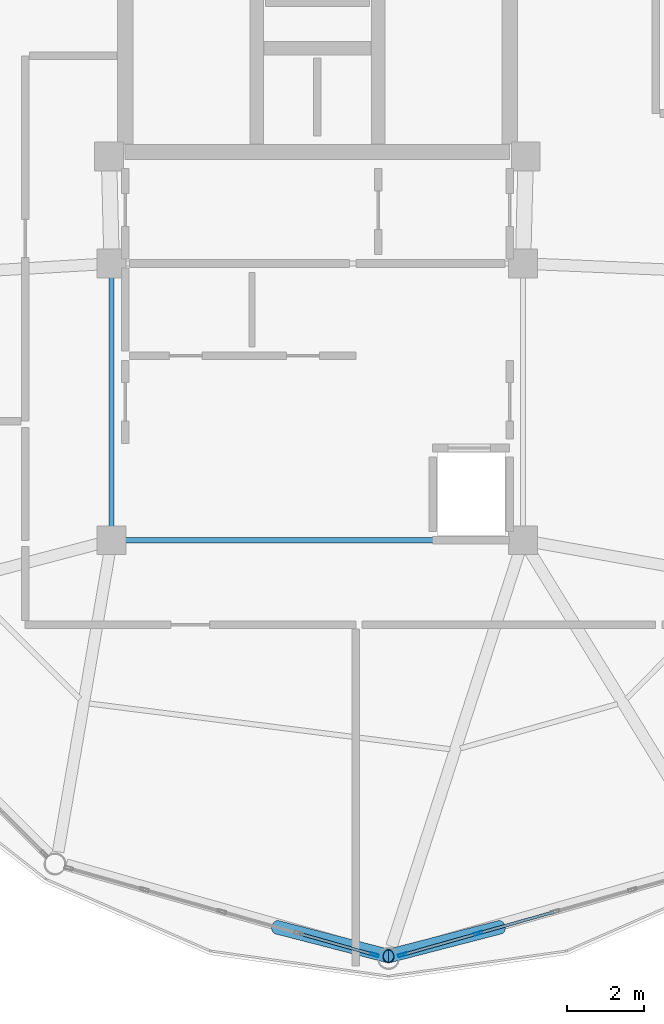
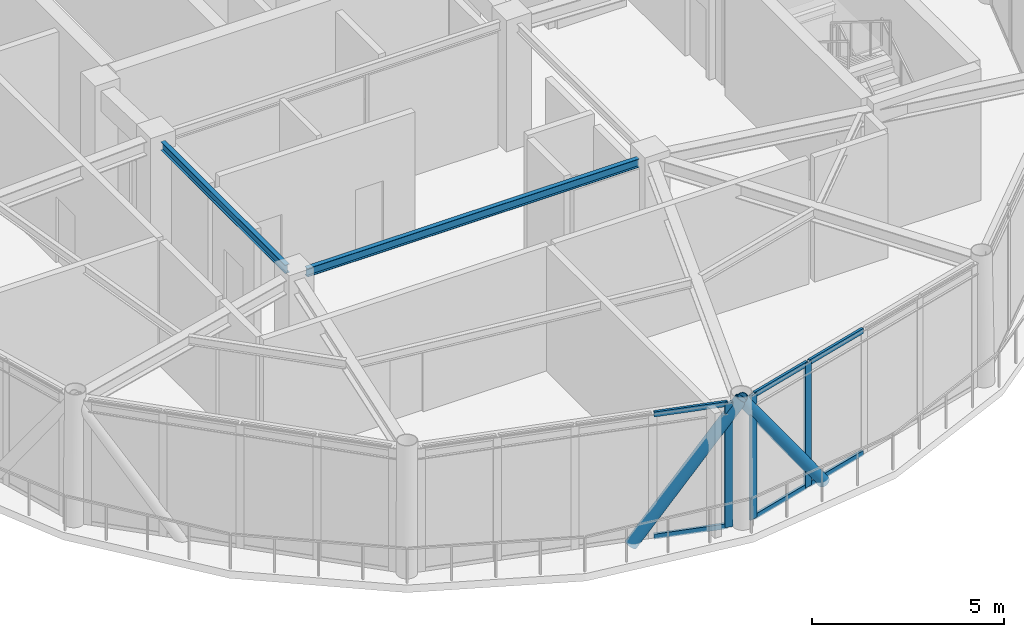
# One storey, part 4 of 20: 11 members, 2 beams, 2 elements without a shape of their own.
"""IFC4 building model written with IfcOpenShell, lengths in metres."""

import ifcopenshell
import ifcopenshell.guid

model = None  # the IFC model being written
_history = None  # IfcOwnerHistory: only IFC2X3 demands one
_inside = {}  # id of a spatial element -> (the spatial element, [elements in it])
_under = {}  # id of a project, library or spatial element -> (it, [spatial elements below it])
_declared = {}  # id of a project -> (the project, [libraries it declares])
_typed = {}  # id of a type object -> (the type object, [elements of that type])
_made_of = {}  # id of a material, layer set ... -> (it, [elements and type objects made of it])


def new_model(schema):
    """Start an empty IFC model of exactly this schema.

    Asked for "IFC4X3", IfcOpenShell would pick the latest addendum, in which some entities
    have other attributes; the version numbers below select the first issue.
    IFC2X3 requires an IfcOwnerHistory on every rooted entity: one is made here for all.
    """
    global model, _history
    if schema == "IFC4X3":
        model = ifcopenshell.file(schema_version=(4, 3, 0, 0))
    else:
        model = ifcopenshell.file(schema=schema)
    _inside.clear()
    _under.clear()
    _declared.clear()
    _typed.clear()
    _made_of.clear()
    _history = None
    if model.schema == "IFC2X3":
        org = make("IfcOrganization", Name="unknown")
        user = make(
            "IfcPersonAndOrganization",
            ThePerson=make("IfcPerson", FamilyName="unknown"),
            TheOrganization=org,
        )
        app = make(
            "IfcApplication",
            ApplicationDeveloper=org,
            Version="unknown",
            ApplicationFullName="unknown",
            ApplicationIdentifier="unknown",
        )
        _history = make(
            "IfcOwnerHistory",
            OwningUser=user,
            OwningApplication=app,
            ChangeAction="ADDED",
            CreationDate=0,
        )
    return model


def make(cls, **values):
    """One entity of the class cls with the attributes given. An attribute that is None is left unset."""
    return model.create_entity(
        cls, **{name: value for name, value in values.items() if value is not None}
    )


def rooted(cls, **values):
    """An entity with a GlobalId (a new one), such as an element, a storey or a relation."""
    return make(cls, GlobalId=ifcopenshell.guid.new(), OwnerHistory=_history, **values)


def si_unit(unit_type, name, prefix=None):
    """IfcSIUnit, for example si_unit("LENGTHUNIT", "METRE", prefix="MILLI")."""
    return make("IfcSIUnit", UnitType=unit_type, Prefix=prefix, Name=name)


def assignment(units):
    """IfcUnitAssignment: the units of a project."""
    return None if units is None else make("IfcUnitAssignment", Units=units)


def point(xyz):
    """IfcCartesianPoint."""
    return None if xyz is None else make("IfcCartesianPoint", Coordinates=xyz)


def direction(xyz):
    """IfcDirection."""
    return None if xyz is None else make("IfcDirection", DirectionRatios=xyz)


def frame(location, z_axis=None, x_axis=None):
    """IfcAxis2Placement3D, a coordinate frame: its origin and axes. An axis left out is left unset."""
    return make(
        "IfcAxis2Placement3D",
        Location=point(location),
        Axis=direction(z_axis),
        RefDirection=direction(x_axis),
    )


def frame_2d(location, x_axis=None):
    """IfcAxis2Placement2D, a coordinate frame in the plane: its origin and x axis."""
    return make(
        "IfcAxis2Placement2D", Location=point(location), RefDirection=direction(x_axis)
    )


def origin():
    """The frame at (0, 0, 0) with its axes left unset."""
    return frame((0.0, 0.0, 0.0))


def origin_2d():
    """The frame at (0, 0) in the plane with its x axis left unset."""
    return frame_2d((0.0, 0.0))


def place(relative_to, where):
    """IfcLocalPlacement: puts the frame where relative to a parent placement (None: the world)."""
    return make(
        "IfcLocalPlacement", PlacementRelTo=relative_to, RelativePlacement=where
    )


def context(
    kind, dimensions, precision=None, world=None, true_north=None, identifier=None
):
    """IfcGeometricRepresentationContext, for example the 3D "Model" context."""
    return make(
        "IfcGeometricRepresentationContext",
        ContextIdentifier=identifier,
        ContextType=kind,
        CoordinateSpaceDimension=dimensions,
        Precision=precision,
        WorldCoordinateSystem=world,
        TrueNorth=true_north,
    )


def subcontext(parent, identifier, kind, view, scale=None):
    """IfcGeometricRepresentationSubContext, for example "Body" below "Model"."""
    return make(
        "IfcGeometricRepresentationSubContext",
        ContextIdentifier=identifier,
        ContextType=kind,
        ParentContext=parent,
        TargetScale=scale,
        TargetView=view,
    )


def project(units=None, contexts=None):
    """IfcProject with its units and contexts."""
    return rooted(
        "IfcProject",
        Name="project",
        RepresentationContexts=contexts,
        UnitsInContext=assignment(units),
    )


def spatial(cls, under=None, at=None, **own):
    """A site, building, storey or space (cls), placed at a placement, below another one or the project."""
    s = rooted(cls, ObjectPlacement=at, **own)
    if under is not None:
        _under.setdefault(under.id(), (under, []))[1].append(s)
    return s


def profile(cls, at=None, kind="AREA", **sizes):
    """A parametric profile (cls). Its sizes go by their IFC names, for example OverallWidth=200.0."""
    return make(cls, ProfileType=kind, Position=at, **sizes)


def hollow_rectangle(**sizes):
    """IfcRectangleHollowProfileDef."""
    return profile("IfcRectangleHollowProfileDef", **sizes)


def hollow_circle(**sizes):
    """IfcCircleHollowProfileDef."""
    return profile("IfcCircleHollowProfileDef", **sizes)


def i_section(**sizes):
    """IfcIShapeProfileDef."""
    return profile("IfcIShapeProfileDef", **sizes)


def extrude(swept, where, along, depth):
    """IfcExtrudedAreaSolid: the profile swept, set in the frame where, extruded along a direction by depth."""
    return make(
        "IfcExtrudedAreaSolid",
        SweptArea=swept,
        Position=where,
        ExtrudedDirection=direction(along),
        Depth=depth,
    )


def shape(context_of_items, identifier, shape_type, items):
    """IfcShapeRepresentation: the items that make up one representation, for example the "Body"."""
    return make(
        "IfcShapeRepresentation",
        ContextOfItems=context_of_items,
        RepresentationIdentifier=identifier,
        RepresentationType=shape_type,
        Items=items,
    )


def material(Name=None, Category=None):
    """IfcMaterial."""
    return make("IfcMaterial", Name=Name, Category=Category)


def layer(
    of_material, thickness, ventilated=None, Name=None, Category=None, Priority=None
):
    """IfcMaterialLayer: one layer of a wall or slab, of a material (None: an air gap)."""
    return make(
        "IfcMaterialLayer",
        Material=of_material,
        LayerThickness=thickness,
        IsVentilated=ventilated,
        Name=Name,
        Category=Category,
        Priority=Priority,
    )


def layer_set(layers, Name=None):
    """IfcMaterialLayerSet."""
    return make("IfcMaterialLayerSet", MaterialLayers=layers, LayerSetName=Name)


def material_profile(
    of_material, cross_section, Name=None, Category=None, Priority=None
):
    """IfcMaterialProfile: a cross section and its material."""
    return make(
        "IfcMaterialProfile",
        Name=Name,
        Material=of_material,
        Profile=cross_section,
        Priority=Priority,
        Category=Category,
    )


def profile_set(profiles, Name=None, composite=None):
    """IfcMaterialProfileSet."""
    return make(
        "IfcMaterialProfileSet",
        Name=Name,
        MaterialProfiles=profiles,
        CompositeProfile=composite,
    )


def made_of(thing, what):
    """Note that an element or type object is made of a material, layer set ...; save() writes the relation."""
    if what is not None:
        _made_of.setdefault(what.id(), (what, []))[1].append(thing)
    return thing


def type_object(cls, material=None, **own):
    """A type object (cls), such as IfcWallType, which elements share."""
    return made_of(rooted(cls, **own), material)


def element(
    cls,
    number,
    at=None,
    inside=None,
    cuts=None,
    type_object=None,
    material=None,
    context=None,
    identifier="Body",
    shape_type=None,
    held_by="IfcProductDefinitionShape",
    body=None,
    shapes=None,
    **own,
):
    """One element of the class cls, such as IfcWall. Its Tag is "e" and its number.

    at: its placement. inside: the storey or other place that contains it. cuts: it is an
    opening in that element (IfcRelVoidsElement). A single representation is given by context,
    identifier, shape_type and body (its items); several are given by shapes. held_by: the class
    of the entity that holds the representations. save() writes the other relations.
    """
    e = rooted(cls, Tag="e%d" % number, ObjectPlacement=at, **own)
    if body is not None:
        shapes = [shape(context, identifier, shape_type, body)]
    if shapes is not None:
        e.Representation = make(held_by, Representations=shapes)
    if inside is not None:
        _inside.setdefault(inside.id(), (inside, []))[1].append(e)
    if cuts is not None:
        rooted(
            "IfcRelVoidsElement", RelatingBuildingElement=cuts, RelatedOpeningElement=e
        )
    if type_object is not None:
        _typed.setdefault(type_object.id(), (type_object, []))[1].append(e)
    return made_of(e, material)


def aggregate(whole, parts):
    """IfcRelAggregates: a whole, such as a stair, and the parts it consists of."""
    return rooted("IfcRelAggregates", RelatingObject=whole, RelatedObjects=parts)


def save(model, path):
    """Write the relations noted so far, then the file.

    IfcRelAggregates (storeys below a building ...), IfcRelContainedInSpatialStructure (elements
    in a storey), IfcRelDefinesByType, IfcRelAssociatesMaterial and IfcRelDeclares: one each for
    every whole, place, type object, material and project.
    """
    for whole, parts in _under.values():
        aggregate(whole, parts)
    for where, things in _inside.values():
        rooted(
            "IfcRelContainedInSpatialStructure",
            RelatedElements=things,
            RelatingStructure=where,
        )
    for kind, things in _typed.values():
        rooted("IfcRelDefinesByType", RelatedObjects=things, RelatingType=kind)
    for what, things in _made_of.values():
        rooted("IfcRelAssociatesMaterial", RelatedObjects=things, RelatingMaterial=what)
    for by, libraries in _declared.values():
        rooted("IfcRelDeclares", RelatingContext=by, RelatedDefinitions=libraries)
    model.write(path)


model = new_model("IFC4")

# Units and contexts
model_context = context("Model", 3, precision=1e-05, world=origin(), true_north=direction((0.0, 1.0)))
body_context = subcontext(model_context, "Body", "Model", "MODEL_VIEW")
ifc_project = project(units=[si_unit("LENGTHUNIT", "METRE"), si_unit("AREAUNIT", "SQUARE_METRE"), si_unit("VOLUMEUNIT", "CUBIC_METRE"), si_unit("PLANEANGLEUNIT", "RADIAN"), si_unit("MASSUNIT", "GRAM", prefix="KILO")], contexts=[model_context])

# Site, building, storey
site_placement = place(None, origin())
site = spatial("IfcSite", under=ifc_project, at=site_placement, CompositionType="ELEMENT")
building_placement = place(site_placement, origin())
building = spatial("IfcBuilding", under=site, at=building_placement, Name="Varnakorn Sky Granary", CompositionType="ELEMENT")
storey_placement = place(building_placement, frame((0.0, 0.0, 302.39990234375)))
storey = spatial("IfcBuildingStorey", under=building, at=storey_placement, Name="L77", CompositionType="ELEMENT", Elevation=302.39990234375)

# Beams
ifc_material_1 = material(Name="Steel S355JR", Category="steel")
ifc_material_profile_1 = material_profile(ifc_material_1, i_section(OverallWidth=0.135009765625, OverallDepth=0.27001953125, WebThickness=0.006591796875, FlangeThickness=0.01025390625, at=origin_2d()), Name="IPE 270")
ifc_profile_set_1 = profile_set([ifc_material_profile_1], Name="Steel S355JR")
beam_type = type_object("IfcBeamType", Name="BM-SEC-Z5", PredefinedType="BEAM", material=ifc_profile_set_1)
beam_1_placement = place(storey_placement, frame((-2.35009765625, 0.2451171875, 3.8251953125), z_axis=(0.0, -1.0, 0.0), x_axis=(1.0, 0.0, 0.0)))
element("IfcBeam", 1, at=beam_1_placement, inside=storey, type_object=beam_type, Name="Core Spine Framing Beam 3 L77", PredefinedType="BEAM", context=body_context, shape_type="SweptSolid", body=[
    extrude(i_section(OverallWidth=0.135009765625, OverallDepth=0.27001953125, WebThickness=0.006591796875, FlangeThickness=0.01025390625, at=origin_2d()), origin(), (0.0, 0.0, 1.0), 6.490234375),
])
beam_2_placement = place(storey_placement, frame((-1.9951171875, -6.60009765625, 3.8251953125), z_axis=(1.0, 0.0, 0.0), x_axis=(0.0, 1.0, 0.0)))
element("IfcBeam", 2, at=beam_2_placement, inside=storey, type_object=beam_type, Name="Core Spine Framing Beam 6 L77", PredefinedType="BEAM", context=body_context, shape_type="SweptSolid", body=[
    extrude(i_section(OverallWidth=0.135009765625, OverallDepth=0.27001953125, WebThickness=0.006591796875, FlangeThickness=0.01025390625, at=origin_2d()), origin(), (0.0, 0.0, 1.0), 9.990234375),
])

# Curtain wall, member
ifc_material_2 = material(Name="Anodised Bronze Aluminium Alloy 6063-T6", Category="aluminium")
ifc_layer = layer(ifc_material_2, 0.22998046875, Name="Anodised Bronze Aluminium Alloy 6063-T6")
ifc_layer_set = layer_set([ifc_layer], Name="Anodised Bronze Aluminium Alloy 6063-T6")
curtain_wall_type = type_object("IfcCurtainWallType", Name="CW-LNT-1", PredefinedType="USERDEFINED", material=ifc_layer_set)
curtain_wall_1_placement = place(storey_placement, origin())
curtain_wall_1 = element("IfcCurtainWall", 3, at=curtain_wall_1_placement, inside=storey, type_object=curtain_wall_type, Name="Unitised Curtain Wall CW7 CW-L77-B09", ObjectType="CURTAIN WALL", PredefinedType="USERDEFINED")
ifc_material_profile_2 = material_profile(ifc_material_2, hollow_rectangle(XDim=0.074951171875, YDim=0.219970703125, WallThickness=0.00390625, at=origin_2d()), Name="ALU MULL 75x220")
ifc_profile_set_2 = profile_set([ifc_material_profile_2], Name="Anodised Bronze Aluminium Alloy 6063-T6")
member_type_1 = type_object("IfcMemberType", Name="CW-LNT-1-MULL", PredefinedType="MULLION", material=ifc_profile_set_2)
member_1_placement = place(storey_placement, frame((4.4873046875, -17.383056640625, 0.0), z_axis=(0.0, 0.0, 1.0), x_axis=(-0.272649549095, -0.962113415029, 0.0)))
member_1 = element("IfcMember", 4, at=member_1_placement, type_object=member_type_1, Name="CW7 mullion 1", PredefinedType="MULLION", context=body_context, shape_type="SweptSolid", body=[
    extrude(hollow_rectangle(XDim=0.074951171875, YDim=0.219970703125, WallThickness=0.00390625, at=origin_2d()), origin(), (0.0, 0.0, 1.0), 3.960205078125),
])

# Curtain wall, members
curtain_wall_2_placement = place(storey_placement, origin())
curtain_wall_2 = element("IfcCurtainWall", 5, at=curtain_wall_2_placement, inside=storey, type_object=curtain_wall_type, Name="Unitised Curtain Wall CW7 CW-L77-B10", ObjectType="CURTAIN WALL", PredefinedType="USERDEFINED")
member_2_placement = place(storey_placement, frame((7.18310546875, -16.82470703125, 0.0), z_axis=(0.0, 0.0, 1.0), x_axis=(0.272649549095, -0.962113415029, 0.0)))
member_2 = element("IfcMember", 6, at=member_2_placement, type_object=member_type_1, Name="CW7 mullion 4", PredefinedType="MULLION", context=body_context, shape_type="SweptSolid", body=[
    extrude(hollow_rectangle(XDim=0.074951171875, YDim=0.219970703125, WallThickness=0.00390625, at=origin_2d()), origin(), (0.0, 0.0, 1.0), 3.960205078125),
])
member_3_placement = place(storey_placement, frame((5.212646484375, -17.383056640625, 0.0), z_axis=(0.0, 0.0, 1.0), x_axis=(0.272649549095, -0.962113415029, 0.0)))
member_3 = element("IfcMember", 7, at=member_3_placement, type_object=member_type_1, Name="CW7 mullion 5", PredefinedType="MULLION", context=body_context, shape_type="SweptSolid", body=[
    extrude(hollow_rectangle(XDim=0.074951171875, YDim=0.219970703125, WallThickness=0.00390625, at=origin_2d()), origin(), (0.0, 0.0, 1.0), 3.960205078125),
])

# Member
ifc_material_profile_3 = material_profile(ifc_material_2, hollow_rectangle(XDim=0.074951171875, YDim=0.159912109375, WallThickness=0.00390625, at=origin_2d()), Name="ALU TRAN 75x160")
ifc_profile_set_3 = profile_set([ifc_material_profile_3], Name="Anodised Bronze Aluminium Alloy 6063-T6")
member_type_2 = type_object("IfcMemberType", Name="CW-LNT-1-TRAN", PredefinedType="USERDEFINED", material=ifc_profile_set_3)
member_4_placement = place(storey_placement, frame((4.451171875, -17.373046875, 0.03759765625), z_axis=(-0.962091559003, 0.27272666187, 0.0), x_axis=(-0.27272666187, -0.962091559003, 0.0)))
member_4 = element("IfcMember", 8, at=member_4_placement, type_object=member_type_2, Name="CW7 transom 1.1", ObjectType="TRANSOM", PredefinedType="USERDEFINED", context=body_context, shape_type="SweptSolid", body=[
    extrude(hollow_rectangle(XDim=0.074951171875, YDim=0.159912109375, WallThickness=0.00390625, at=origin_2d()), origin(), (0.0, 0.0, 1.0), 1.972900390625),
])

member_5_placement = place(storey_placement, frame((4.451171875, -17.373046875, 3.922607421875), z_axis=(-0.962091559003, 0.27272666187, 0.0), x_axis=(-0.27272666187, -0.962091559003, 0.0)))
member_5 = element("IfcMember", 9, at=member_5_placement, type_object=member_type_2, Name="CW7 transom 1.2", ObjectType="TRANSOM", PredefinedType="USERDEFINED", context=body_context, shape_type="SweptSolid", body=[
    extrude(hollow_rectangle(XDim=0.074951171875, YDim=0.159912109375, WallThickness=0.00390625, at=origin_2d()), origin(), (0.0, 0.0, 1.0), 1.972900390625),
])

aggregate(curtain_wall_1, [member_1, member_4, member_5])

member_6_placement = place(storey_placement, frame((9.1533203125, -16.266357421875, 0.03759765625), z_axis=(-0.962081058042, -0.272763703151, 0.0), x_axis=(0.272763703151, -0.962081058042, 0.0)))
member_6 = element("IfcMember", 10, at=member_6_placement, type_object=member_type_2, Name="CW7 transom 3.1", ObjectType="TRANSOM", PredefinedType="USERDEFINED", context=body_context, shape_type="SweptSolid", body=[
    extrude(hollow_rectangle(XDim=0.074951171875, YDim=0.159912109375, WallThickness=0.00390625, at=origin_2d()), origin(), (0.0, 0.0, 1.0), 2.01025390625),
])

member_7_placement = place(storey_placement, frame((9.1533203125, -16.266357421875, 3.922607421875), z_axis=(-0.962081058042, -0.272763703151, 0.0), x_axis=(0.272763703151, -0.962081058042, 0.0)))
member_7 = element("IfcMember", 11, at=member_7_placement, type_object=member_type_2, Name="CW7 transom 3.2", ObjectType="TRANSOM", PredefinedType="USERDEFINED", context=body_context, shape_type="SweptSolid", body=[
    extrude(hollow_rectangle(XDim=0.074951171875, YDim=0.159912109375, WallThickness=0.00390625, at=origin_2d()), origin(), (0.0, 0.0, 1.0), 2.01025390625),
])

member_8_placement = place(storey_placement, frame((7.14697265625, -16.8349609375, 0.03759765625), z_axis=(-0.962091559003, -0.27272666187, 0.0), x_axis=(0.27272666187, -0.962091559003, 0.0)))
member_8 = element("IfcMember", 12, at=member_8_placement, type_object=member_type_2, Name="CW7 transom 4.1", ObjectType="TRANSOM", PredefinedType="USERDEFINED", context=body_context, shape_type="SweptSolid", body=[
    extrude(hollow_rectangle(XDim=0.074951171875, YDim=0.159912109375, WallThickness=0.00390625, at=origin_2d()), origin(), (0.0, 0.0, 1.0), 1.972900390625),
])

member_9_placement = place(storey_placement, frame((7.14697265625, -16.8349609375, 3.922607421875), z_axis=(-0.962091559003, -0.27272666187, 0.0), x_axis=(0.27272666187, -0.962091559003, 0.0)))
member_9 = element("IfcMember", 13, at=member_9_placement, type_object=member_type_2, Name="CW7 transom 4.2", ObjectType="TRANSOM", PredefinedType="USERDEFINED", context=body_context, shape_type="SweptSolid", body=[
    extrude(hollow_rectangle(XDim=0.074951171875, YDim=0.159912109375, WallThickness=0.00390625, at=origin_2d()), origin(), (0.0, 0.0, 1.0), 1.972900390625),
])

aggregate(curtain_wall_2, [member_2, member_3, member_6, member_7, member_8, member_9])

# Members
ifc_material_3 = material(Name="Steel S460M", Category="steel")
ifc_material_profile_4 = material_profile(ifc_material_3, hollow_circle(Radius=0.177734375, WallThickness=0.01416015625, at=origin_2d()), Name="CHS 355.6x14")
ifc_profile_set_4 = profile_set([ifc_material_profile_4], Name="Steel S460M")
member_type_3 = type_object("IfcMemberType", Name="MB-DIAG-T5", PredefinedType="BRACE", material=ifc_profile_set_4)
member_10_placement = place(storey_placement, frame((1.95703125, -16.666015625, -0.1298828125), z_axis=(0.571143300223, -0.147677896361, 0.807456853049), x_axis=(0.250332649002, 0.968159885992, 0.0)))
element("IfcMember", 14, at=member_10_placement, inside=storey, type_object=member_type_3, Name="Perimeter CHS Diagrid Brace DG09 L77", PredefinedType="BRACE", context=body_context, shape_type="SweptSolid", body=[
    extrude(hollow_circle(Radius=0.177734375, WallThickness=0.01416015625, at=origin_2d()), origin(), (0.0, 0.0, 1.0), 5.0654296875),
])
member_11_placement = place(storey_placement, frame((7.742919921875, -16.666015625, -0.1298828125), z_axis=(-0.571110823465, -0.147681961608, 0.807479080556), x_axis=(0.250352451799, -0.968154765458, 0.0)))
element("IfcMember", 15, at=member_11_placement, inside=storey, type_object=member_type_3, Name="Perimeter CHS Diagrid Brace DG10 L77", PredefinedType="BRACE", context=body_context, shape_type="SweptSolid", body=[
    extrude(hollow_circle(Radius=0.177734375, WallThickness=0.01416015625, at=origin_2d()), origin(), (0.0, 0.0, 1.0), 5.065185546875),
])

save(model, "model.ifc")
